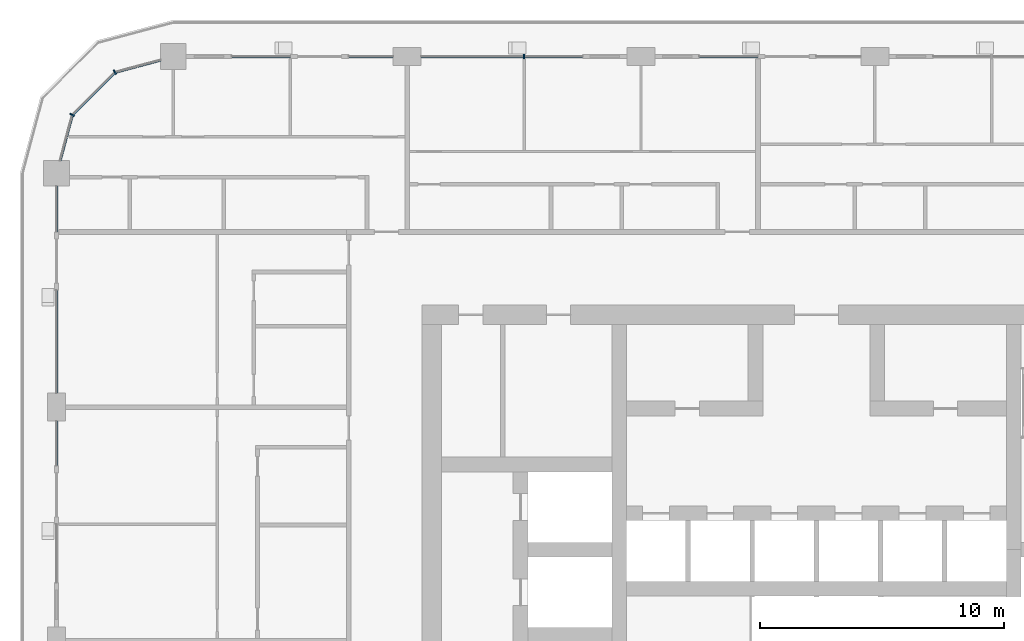
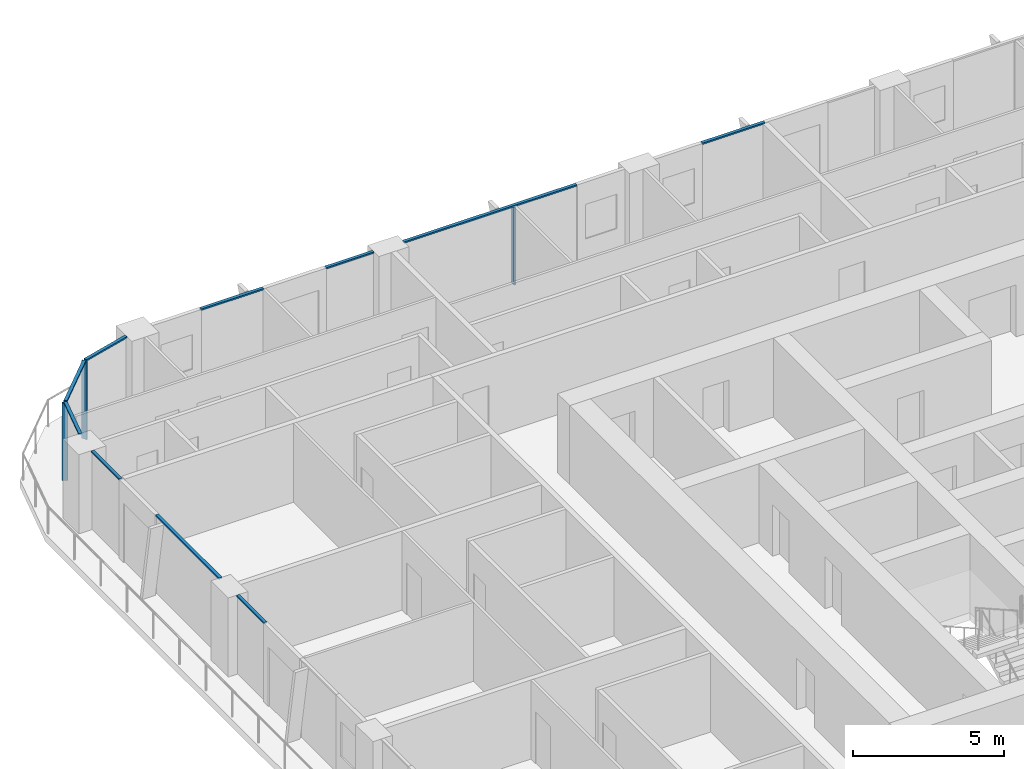
# One storey, part 5 of 22: 13 members, 6 elements without a shape of their own.
"""IFC4 building model written with IfcOpenShell, lengths in metres."""

from ifc_helpers import new_model, si_unit, direction, frame, origin, origin_2d, place, context, subcontext, project, spatial, rectangle, extrude, material, layer, layer_set, material_profile, profile_set, type_object, element, aggregate, save


model = new_model("IFC4")

# Units and contexts
model_context = context("Model", 3, precision=1e-05, world=origin(), true_north=direction((0.0, 1.0)))
body_context = subcontext(model_context, "Body", "Model", "MODEL_VIEW")
ifc_project = project(units=[si_unit("LENGTHUNIT", "METRE"), si_unit("AREAUNIT", "SQUARE_METRE"), si_unit("VOLUMEUNIT", "CUBIC_METRE"), si_unit("PLANEANGLEUNIT", "RADIAN"), si_unit("MASSUNIT", "GRAM", prefix="KILO")], contexts=[model_context])

# Site, building, storey
site_placement = place(None, origin())
site = spatial("IfcSite", under=ifc_project, at=site_placement, CompositionType="ELEMENT")
building_placement = place(site_placement, origin())
building = spatial("IfcBuilding", under=site, at=building_placement, Name="Madar Terraces", CompositionType="ELEMENT")
storey_placement = place(building_placement, frame((0.0, 0.0, 152.5)))
storey = spatial("IfcBuildingStorey", under=building, at=storey_placement, Name="L39", CompositionType="ELEMENT", Elevation=152.5)

# Curtain wall, member
ifc_material_1 = material(Name="Glass, ceramic frit dark grey, with black aluminium frame", Category="aluminium")
ifc_layer = layer(ifc_material_1, 0.199951171875)
ifc_layer_set = layer_set([ifc_layer], Name="Facade curtain wall, fritted glass")
curtain_wall_type = type_object("IfcCurtainWallType", Name="Facade curtain wall, fritted glass", PredefinedType="NOTDEFINED", material=ifc_layer_set)
curtain_wall_1_placement = place(storey_placement, origin())
curtain_wall_1 = element("IfcCurtainWall", 1, at=curtain_wall_1_placement, inside=storey, type_object=curtain_wall_type, Name="Outer skin curtain wall north bay 4", PredefinedType="NOTDEFINED")
ifc_material_2 = material(Name="Aluminium, black anodised", Category="aluminium")
ifc_material_profile_1 = material_profile(ifc_material_2, rectangle(XDim=0.199951171875, YDim=0.06005859375, at=origin_2d()), Name="Facade mullion 60x200")
ifc_profile_set_1 = profile_set([ifc_material_profile_1], Name="Aluminium, black anodised")
member_type_1 = type_object("IfcMemberType", Name="Facade mullion 60x200", PredefinedType="MULLION", material=ifc_profile_set_1)
member_1_placement = place(storey_placement, frame((19.199951171875, 48.0, 0.0), z_axis=(0.0, 0.0, 1.0), x_axis=(0.0, -1.0, 0.0)))
member_1 = element("IfcMember", 2, at=member_1_placement, type_object=member_type_1, Name="Mullion 1", PredefinedType="MULLION", context=body_context, shape_type="SweptSolid", body=[
    extrude(rectangle(XDim=0.199951171875, YDim=0.06005859375, at=origin_2d()), origin(), (0.0, 0.0, 1.0), 3.139892578125),
])

# Curtain wall, members
curtain_wall_2_placement = place(storey_placement, origin())
curtain_wall_2 = element("IfcCurtainWall", 3, at=curtain_wall_2_placement, inside=storey, type_object=curtain_wall_type, Name="Outer skin curtain wall north-west corner", PredefinedType="NOTDEFINED")
member_2_placement = place(storey_placement, frame((2.39990234375, 47.35693359375, 0.0), z_axis=(0.0, 0.0, 1.0), x_axis=(0.499999989586, -0.866025409797, 0.0)))
member_2 = element("IfcMember", 4, at=member_2_placement, type_object=member_type_1, Name="Mullion 1", PredefinedType="MULLION", context=body_context, shape_type="SweptSolid", body=[
    extrude(rectangle(XDim=0.199951171875, YDim=0.06005859375, at=origin_2d()), origin(), (0.0, 0.0, 1.0), 3.139892578125),
])
member_3_placement = place(storey_placement, frame((0.64306640625, 45.60009765625, 0.0), z_axis=(0.0, 0.0, 1.0), x_axis=(0.866025409797, -0.499999989586, 0.0)))
member_3 = element("IfcMember", 5, at=member_3_placement, type_object=member_type_1, Name="Mullion 2", PredefinedType="MULLION", context=body_context, shape_type="SweptSolid", body=[
    extrude(rectangle(XDim=0.199951171875, YDim=0.06005859375, at=origin_2d()), origin(), (0.0, 0.0, 1.0), 3.139892578125),
])

# Curtain wall, member
curtain_wall_3_placement = place(storey_placement, origin())
curtain_wall_3 = element("IfcCurtainWall", 6, at=curtain_wall_3_placement, inside=storey, type_object=curtain_wall_type, Name="Outer skin curtain wall north bay 3", PredefinedType="NOTDEFINED")
ifc_material_3 = material(Name="Aluminium, black anodised", Category="aluminium")
ifc_material_profile_2 = material_profile(ifc_material_3, rectangle(XDim=0.1201171875, YDim=0.06005859375, at=origin_2d()), Name="Facade transom 60x120")
ifc_profile_set_2 = profile_set([ifc_material_profile_2], Name="Aluminium, black anodised")
member_type_2 = type_object("IfcMemberType", Name="Facade transom 60x120", PredefinedType="USERDEFINED", material=ifc_profile_set_2)
member_4_placement = place(storey_placement, frame((28.800048828125, 48.0, 3.169921875), z_axis=(-1.0, 0.0, 0.0), x_axis=(0.0, -1.0, 0.0)))
member_4 = element("IfcMember", 7, at=member_4_placement, type_object=member_type_2, Name="Transom 2", ObjectType="TRANSOM", PredefinedType="USERDEFINED", context=body_context, shape_type="SweptSolid", body=[
    extrude(rectangle(XDim=0.1201171875, YDim=0.06005859375, at=origin_2d()), origin(), (0.0, 0.0, 1.0), 2.400146484375),
])
aggregate(curtain_wall_3, [member_4])

# Member
member_5_placement = place(storey_placement, frame((21.60009765625, 48.0, 3.169921875), z_axis=(-1.0, 0.0, 0.0), x_axis=(0.0, -1.0, 0.0)))
member_5 = element("IfcMember", 8, at=member_5_placement, type_object=member_type_2, Name="Transom 1", ObjectType="TRANSOM", PredefinedType="USERDEFINED", context=body_context, shape_type="SweptSolid", body=[
    extrude(rectangle(XDim=0.1201171875, YDim=0.06005859375, at=origin_2d()), origin(), (0.0, 0.0, 1.0), 6.625),
])

aggregate(curtain_wall_1, [member_1, member_5])

# Curtain wall, members
curtain_wall_4_placement = place(storey_placement, origin())
curtain_wall_4 = element("IfcCurtainWall", 9, at=curtain_wall_4_placement, inside=storey, type_object=curtain_wall_type, Name="Outer skin curtain wall north bay 5", PredefinedType="NOTDEFINED")
member_6_placement = place(storey_placement, frame((13.824951171875, 48.0, 3.169921875), z_axis=(-1.0, 0.0, 0.0), x_axis=(0.0, -1.0, 0.0)))
member_6 = element("IfcMember", 10, at=member_6_placement, type_object=member_type_2, Name="Transom 1", ObjectType="TRANSOM", PredefinedType="USERDEFINED", context=body_context, shape_type="SweptSolid", body=[
    extrude(rectangle(XDim=0.1201171875, YDim=0.06005859375, at=origin_2d()), origin(), (0.0, 0.0, 1.0), 1.824951171875),
])
member_7_placement = place(storey_placement, frame((9.60009765625, 48.0, 3.169921875), z_axis=(-1.0, 0.0, 0.0), x_axis=(0.0, -1.0, 0.0)))
member_7 = element("IfcMember", 11, at=member_7_placement, type_object=member_type_2, Name="Transom 2", ObjectType="TRANSOM", PredefinedType="USERDEFINED", context=body_context, shape_type="SweptSolid", body=[
    extrude(rectangle(XDim=0.1201171875, YDim=0.06005859375, at=origin_2d()), origin(), (0.0, 0.0, 1.0), 2.400146484375),
])
aggregate(curtain_wall_4, [member_6, member_7])

curtain_wall_5_placement = place(storey_placement, origin())
curtain_wall_5 = element("IfcCurtainWall", 12, at=curtain_wall_5_placement, inside=storey, type_object=curtain_wall_type, Name="Outer skin curtain wall west bay 1", PredefinedType="NOTDEFINED")
member_8_placement = place(storey_placement, frame((0.0, 42.675048828125, 3.169921875), z_axis=(0.0, -1.0, 0.0), x_axis=(1.0, 0.0, 0.0)))
member_8 = element("IfcMember", 13, at=member_8_placement, type_object=member_type_2, Name="Transom 1", ObjectType="TRANSOM", PredefinedType="USERDEFINED", context=body_context, shape_type="SweptSolid", body=[
    extrude(rectangle(XDim=0.1201171875, YDim=0.06005859375, at=origin_2d()), origin(), (0.0, 0.0, 1.0), 1.875),
])
member_9_placement = place(storey_placement, frame((0.0, 38.39990234375, 3.169921875), z_axis=(0.0, -1.0, 0.0), x_axis=(1.0, 0.0, 0.0)))
member_9 = element("IfcMember", 14, at=member_9_placement, type_object=member_type_2, Name="Transom 2", ObjectType="TRANSOM", PredefinedType="USERDEFINED", context=body_context, shape_type="SweptSolid", body=[
    extrude(rectangle(XDim=0.1201171875, YDim=0.06005859375, at=origin_2d()), origin(), (0.0, 0.0, 1.0), 4.224853515625),
])
aggregate(curtain_wall_5, [member_8, member_9])

# Curtain wall, member
curtain_wall_6_placement = place(storey_placement, origin())
curtain_wall_6 = element("IfcCurtainWall", 15, at=curtain_wall_6_placement, inside=storey, type_object=curtain_wall_type, Name="Outer skin curtain wall west bay 2", PredefinedType="NOTDEFINED")
member_10_placement = place(storey_placement, frame((0.0, 33.02490234375, 3.169921875), z_axis=(0.0, -1.0, 0.0), x_axis=(1.0, 0.0, 0.0)))
member_10 = element("IfcMember", 16, at=member_10_placement, type_object=member_type_2, Name="Transom 1", ObjectType="TRANSOM", PredefinedType="USERDEFINED", context=body_context, shape_type="SweptSolid", body=[
    extrude(rectangle(XDim=0.1201171875, YDim=0.06005859375, at=origin_2d()), origin(), (0.0, 0.0, 1.0), 1.824951171875),
])
aggregate(curtain_wall_6, [member_10])

# Member
member_11_placement = place(storey_placement, frame((4.27490234375, 47.859375, 3.169921875), z_axis=(-0.965924671538, -0.258823354654, 0.0), x_axis=(0.258823354654, -0.965924671538, 0.0)))
member_11 = element("IfcMember", 17, at=member_11_placement, type_object=member_type_2, Name="Transom 1", ObjectType="TRANSOM", PredefinedType="USERDEFINED", context=body_context, shape_type="SweptSolid", body=[
    extrude(rectangle(XDim=0.1201171875, YDim=0.06005859375, at=origin_2d()), origin(), (0.0, 0.0, 1.0), 1.9111328125),
])

member_12_placement = place(storey_placement, frame((2.37890625, 47.335693359375, 3.169921875), z_axis=(-0.707106781187, -0.707106781187, 0.0), x_axis=(0.707106781187, -0.707106781187, 0.0)))
member_12 = element("IfcMember", 18, at=member_12_placement, type_object=member_type_2, Name="Transom 2", ObjectType="TRANSOM", PredefinedType="USERDEFINED", context=body_context, shape_type="SweptSolid", body=[
    extrude(rectangle(XDim=0.1201171875, YDim=0.06005859375, at=origin_2d()), origin(), (0.0, 0.0, 1.0), 2.4248046875),
])

member_13_placement = place(storey_placement, frame((0.63525390625, 45.571044921875, 3.169921875), z_axis=(-0.258823354654, -0.965924671538, 0.0), x_axis=(0.965924671538, -0.258823354654, 0.0)))
member_13 = element("IfcMember", 19, at=member_13_placement, type_object=member_type_2, Name="Transom 3", ObjectType="TRANSOM", PredefinedType="USERDEFINED", context=body_context, shape_type="SweptSolid", body=[
    extrude(rectangle(XDim=0.1201171875, YDim=0.06005859375, at=origin_2d()), origin(), (0.0, 0.0, 1.0), 1.9111328125),
])

aggregate(curtain_wall_2, [member_2, member_11, member_3, member_12, member_13])

save(model, "model.ifc")
